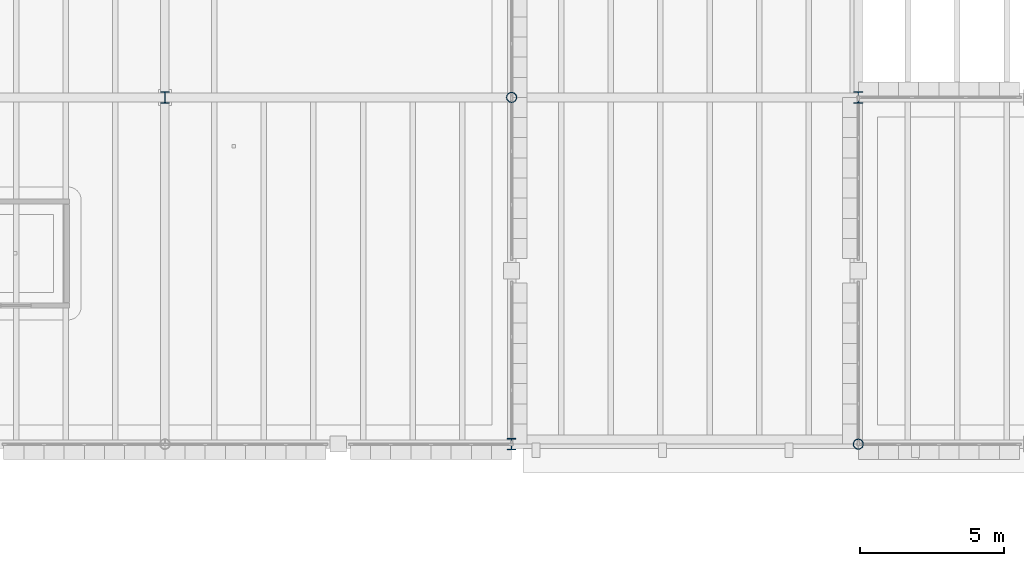
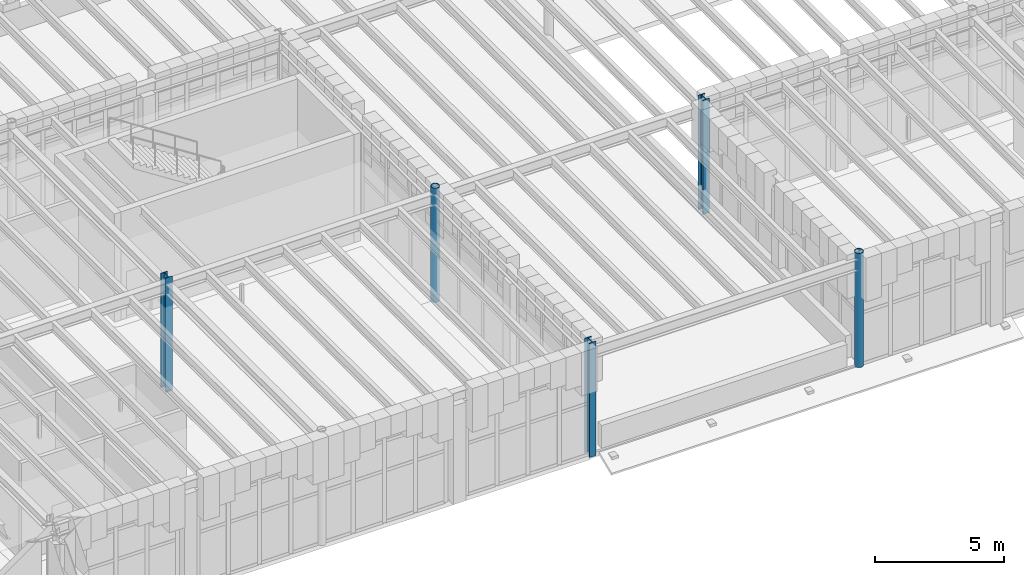
# One storey, part 5 of 100: 5 columns.
"""IFC4 building model written with IfcOpenShell, lengths in metres."""

from ifc_helpers import new_model, si_unit, direction, frame, origin, origin_2d, place, context, subcontext, project, spatial, hollow_circle, i_section, extrude, material, material_profile, profile_set, type_object, element, save


model = new_model("IFC4")

# Units and contexts
model_context = context("Model", 3, precision=1e-05, world=origin(), true_north=direction((0.0, 1.0)))
body_context = subcontext(model_context, "Body", "Model", "MODEL_VIEW")
ifc_project = project(units=[si_unit("LENGTHUNIT", "METRE"), si_unit("AREAUNIT", "SQUARE_METRE"), si_unit("VOLUMEUNIT", "CUBIC_METRE"), si_unit("PLANEANGLEUNIT", "RADIAN"), si_unit("MASSUNIT", "GRAM", prefix="KILO")], contexts=[model_context])

# Site, building, storey
site_placement = place(None, origin())
site = spatial("IfcSite", under=ifc_project, at=site_placement, CompositionType="ELEMENT")
building_placement = place(site_placement, origin())
building = spatial("IfcBuilding", under=site, at=building_placement, Name="Zlatogorsky Bluff Art Gallery", CompositionType="ELEMENT")
storey_placement = place(building_placement, frame((0.0, 0.0, 5.39990234375)))
storey = spatial("IfcBuildingStorey", under=building, at=storey_placement, Name="L01", CompositionType="ELEMENT", Elevation=5.39990234375)

# Columns
ifc_material = material(Name="Steel S355", Category="steel")
ifc_material_profile_1 = material_profile(ifc_material, i_section(OverallWidth=0.300048828125, OverallDepth=0.39990234375, WebThickness=0.013427734375, FlangeThickness=0.02392578125, FilletRadius=0.027099609375, at=origin_2d()), Name="HEB 400")
ifc_profile_set_1 = profile_set([ifc_material_profile_1], Name="Steel S355")
column_type_1 = type_object("IfcColumnType", Name="Column CL-04 HEB 400", PredefinedType="COLUMN", material=ifc_profile_set_1)
for number, where, z_axis, x_axis, name in (
    (1, (36.0, 96.0, 0.0), (0.0, 0.0, 1.0), (1.0, 0.0, 0.0), "Column CL-04 L01 D10"),
    (2, (48.0, 84.0, 0.0), (0.0, 0.0, 1.0), (1.0, 0.0, 0.0), "Column CL-04 L01 E9"),
    (3, (60.0, 96.0, 0.0), (0.0, 0.0, 1.0), (1.0, 0.0, 0.0), "Column CL-04 L01 F10"),
):
    element("IfcColumn", number, at=place(storey_placement, frame(where, z_axis=z_axis, x_axis=x_axis)), inside=storey, type_object=column_type_1, Name=name, PredefinedType="COLUMN", context=body_context, shape_type="SweptSolid", body=[
        extrude(i_section(OverallWidth=0.300048828125, OverallDepth=0.39990234375, WebThickness=0.013427734375, FlangeThickness=0.02392578125, FilletRadius=0.027099609375, at=origin_2d()), origin(), (0.0, 0.0, 1.0), 5.400146484375),
    ])
ifc_material_profile_2 = material_profile(ifc_material, hollow_circle(Radius=0.177734375, WallThickness=0.01611328125, at=origin_2d()), Name="CHS 355.6x16")
ifc_profile_set_2 = profile_set([ifc_material_profile_2], Name="Steel S355")
column_type_2 = type_object("IfcColumnType", Name="Column CL-10 CHS 355.6x16", PredefinedType="COLUMN", material=ifc_profile_set_2)
for number, where, z_axis, x_axis, name in (
    (4, (48.0, 96.0, 0.0), (0.0, 0.0, 1.0), (1.0, 0.0, 0.0), "Column CL-10 L01 E10"),
    (5, (60.0, 84.0, 0.0), (0.0, 0.0, 1.0), (1.0, 0.0, 0.0), "Column CL-10 L01 F9"),
):
    element("IfcColumn", number, at=place(storey_placement, frame(where, z_axis=z_axis, x_axis=x_axis)), inside=storey, type_object=column_type_2, Name=name, PredefinedType="COLUMN", context=body_context, shape_type="SweptSolid", body=[
        extrude(hollow_circle(Radius=0.177734375, WallThickness=0.01611328125, at=origin_2d()), origin(), (0.0, 0.0, 1.0), 5.400146484375),
    ])

save(model, "model.ifc")
